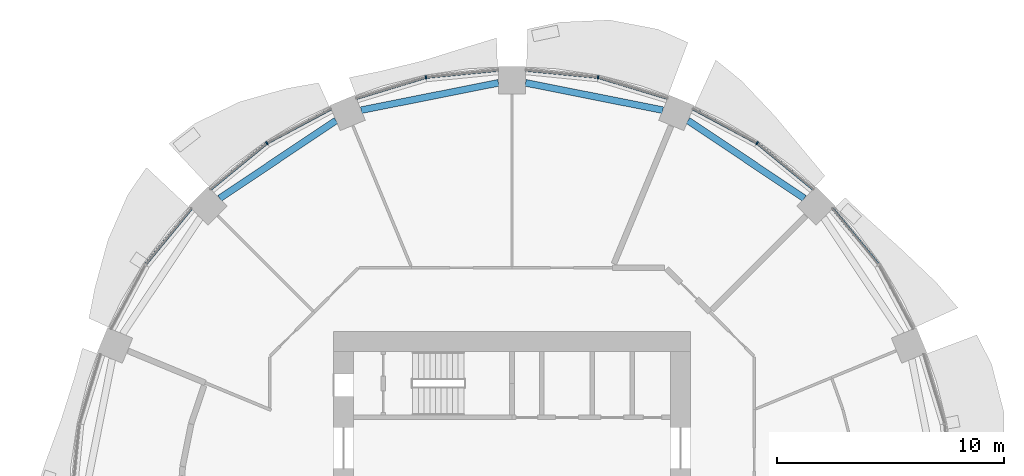
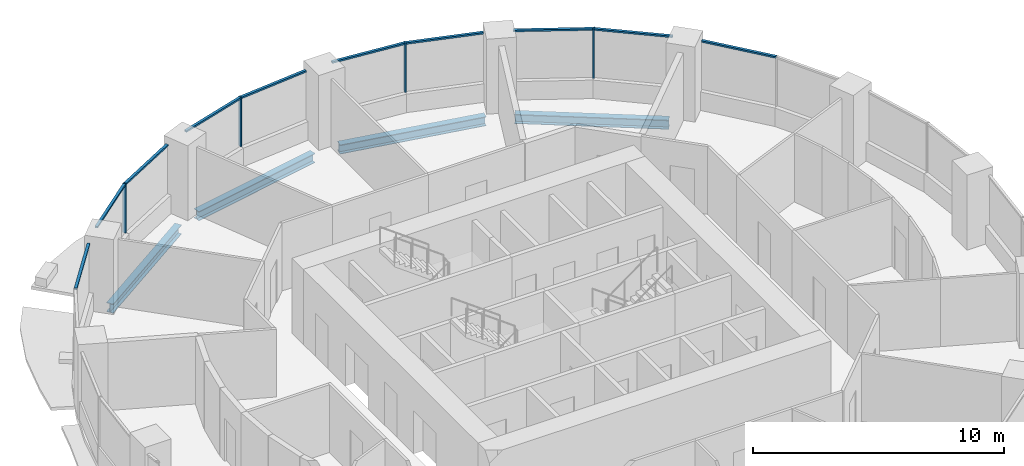
# One storey, part 6 of 15: 14 members, 4 beams, 6 elements without a shape of their own.
"""IFC4 building model written with IfcOpenShell, lengths in metres."""

from ifc_helpers import new_model, si_unit, direction, frame, origin, origin_2d, place, context, subcontext, project, spatial, rectangle, i_section, extrude, material, material_profile, profile_set, type_object, element, aggregate, save


model = new_model("IFC4")

# Units and contexts
model_context = context("Model", 3, precision=1e-05, world=origin(), true_north=direction((0.0, 1.0)))
body_context = subcontext(model_context, "Body", "Model", "MODEL_VIEW")
ifc_project = project(units=[si_unit("LENGTHUNIT", "METRE"), si_unit("AREAUNIT", "SQUARE_METRE"), si_unit("VOLUMEUNIT", "CUBIC_METRE"), si_unit("PLANEANGLEUNIT", "RADIAN"), si_unit("MASSUNIT", "GRAM", prefix="KILO")], contexts=[model_context])

# Site, building, storey
site_placement = place(None, origin())
site = spatial("IfcSite", under=ifc_project, at=site_placement, CompositionType="ELEMENT")
building_placement = place(site_placement, origin())
building = spatial("IfcBuilding", under=site, at=building_placement, Name="Polderwave Tower", CompositionType="ELEMENT")
storey_placement = place(building_placement, frame((0.0, 0.0, 62.699951171875)))
storey = spatial("IfcBuildingStorey", under=building, at=storey_placement, Name="L16", CompositionType="ELEMENT", Elevation=62.699951171875)

# Curtain wall, member
ifc_material_1 = material(Name="Aluminium 6063-T6 and glass", Category="aluminium")
curtain_wall_type = type_object("IfcCurtainWallType", Name="Growing floor ribbon glazing wall", PredefinedType="NOTDEFINED", material=ifc_material_1)
curtain_wall_1_placement = place(storey_placement, origin())
curtain_wall_1 = element("IfcCurtainWall", 1, at=curtain_wall_1_placement, inside=storey, type_object=curtain_wall_type, Name="CW2 L16 02", PredefinedType="NOTDEFINED")
ifc_material_2 = material(Name="Aluminium 6063-T6", Category="aluminium")
ifc_material_profile_1 = material_profile(ifc_material_2, rectangle(XDim=0.14990234375, YDim=0.06005859375, at=origin_2d()), Name="AL 60x150")
ifc_profile_set_1 = profile_set([ifc_material_profile_1], Name="Aluminium 6063-T6")
member_type_1 = type_object("IfcMemberType", Name="Growing floor ribbon glazing mullion 60x150", PredefinedType="MULLION", material=ifc_profile_set_1)
member_1_placement = place(storey_placement, frame((10.800048828125, 16.1640625, 0.900146484375), z_axis=(0.0, 0.0, 1.0), x_axis=(-0.555526696611, -0.831498700752, 0.0)))
member_1 = element("IfcMember", 2, at=member_1_placement, type_object=member_type_1, Name="CW2 mullion 1", PredefinedType="MULLION", context=body_context, shape_type="SweptSolid", body=[
    extrude(rectangle(XDim=0.14990234375, YDim=0.06005859375, at=origin_2d()), origin(), (0.0, 0.0, 1.0), 2.39990234375),
])

curtain_wall_2_placement = place(storey_placement, origin())
curtain_wall_2 = element("IfcCurtainWall", 3, at=curtain_wall_2_placement, inside=storey, type_object=curtain_wall_type, Name="CW2 L16 03", PredefinedType="NOTDEFINED")
member_2_placement = place(storey_placement, frame((3.79296875, 19.06591796875, 0.900146484375), z_axis=(0.0, 0.0, 1.0), x_axis=(-0.195172487407, -0.980768933113, 0.0)))
member_2 = element("IfcMember", 4, at=member_2_placement, type_object=member_type_1, Name="CW2 mullion 1", PredefinedType="MULLION", context=body_context, shape_type="SweptSolid", body=[
    extrude(rectangle(XDim=0.14990234375, YDim=0.06005859375, at=origin_2d()), origin(), (0.0, 0.0, 1.0), 2.39990234375),
])

curtain_wall_3_placement = place(storey_placement, origin())
curtain_wall_3 = element("IfcCurtainWall", 5, at=curtain_wall_3_placement, inside=storey, type_object=curtain_wall_type, Name="CW2 L16 04", PredefinedType="NOTDEFINED")
member_3_placement = place(storey_placement, frame((-3.79296875, 19.06591796875, 0.900146484375), z_axis=(0.0, 0.0, 1.0), x_axis=(0.195172487407, -0.980768933113, 0.0)))
member_3 = element("IfcMember", 6, at=member_3_placement, type_object=member_type_1, Name="CW2 mullion 1", PredefinedType="MULLION", context=body_context, shape_type="SweptSolid", body=[
    extrude(rectangle(XDim=0.14990234375, YDim=0.06005859375, at=origin_2d()), origin(), (0.0, 0.0, 1.0), 2.39990234375),
])

curtain_wall_4_placement = place(storey_placement, origin())
curtain_wall_4 = element("IfcCurtainWall", 7, at=curtain_wall_4_placement, inside=storey, type_object=curtain_wall_type, Name="CW2 L16 05", PredefinedType="NOTDEFINED")
member_4_placement = place(storey_placement, frame((-10.800048828125, 16.1640625, 0.900146484375), z_axis=(0.0, 0.0, 1.0), x_axis=(0.555526696611, -0.831498700752, 0.0)))
member_4 = element("IfcMember", 8, at=member_4_placement, type_object=member_type_1, Name="CW2 mullion 1", PredefinedType="MULLION", context=body_context, shape_type="SweptSolid", body=[
    extrude(rectangle(XDim=0.14990234375, YDim=0.06005859375, at=origin_2d()), origin(), (0.0, 0.0, 1.0), 2.39990234375),
])

curtain_wall_5_placement = place(storey_placement, origin())
curtain_wall_5 = element("IfcCurtainWall", 9, at=curtain_wall_5_placement, inside=storey, type_object=curtain_wall_type, Name="CW2 L16 01", PredefinedType="NOTDEFINED")
ifc_material_profile_2 = material_profile(ifc_material_2, rectangle(XDim=0.1201171875, YDim=0.080078125, at=origin_2d()), Name="AL 80x120")
ifc_profile_set_2 = profile_set([ifc_material_profile_2], Name="Aluminium 6063-T6")
member_type_2 = type_object("IfcMemberType", Name="Growing floor ribbon glazing transom 80x120", PredefinedType="USERDEFINED", material=ifc_profile_set_2)
member_5_placement = place(storey_placement, frame((16.14501953125, 10.8232421875, 3.260009765625), z_axis=(-0.634370760679, 0.77302893736, 0.0), x_axis=(-0.77302893736, -0.634370760679, 0.0)))
member_5 = element("IfcMember", 10, at=member_5_placement, type_object=member_type_2, Name="CW2 transom 2", ObjectType="TRANSOM", PredefinedType="USERDEFINED", context=body_context, shape_type="SweptSolid", body=[
    extrude(rectangle(XDim=0.1201171875, YDim=0.080078125, at=origin_2d()), origin(), (0.0, 0.0, 1.0), 3.17822265625),
])
aggregate(curtain_wall_5, [member_5])

# Member
member_6_placement = place(storey_placement, frame((13.280029296875, 14.12890625, 3.260009765625), z_axis=(-0.77302893736, 0.634370760679, 0.0), x_axis=(-0.634370760679, -0.77302893736, 0.0)))
member_6 = element("IfcMember", 11, at=member_6_placement, type_object=member_type_2, Name="CW2 transom 1", ObjectType="TRANSOM", PredefinedType="USERDEFINED", context=body_context, shape_type="SweptSolid", body=[
    extrude(rectangle(XDim=0.1201171875, YDim=0.080078125, at=origin_2d()), origin(), (0.0, 0.0, 1.0), 3.17822265625),
])

member_7_placement = place(storey_placement, frame((10.7734375, 16.177978515625, 3.260009765625), z_axis=(-0.881910191406, 0.471417452258, 0.0), x_axis=(-0.471417452258, -0.881910191406, 0.0)))
member_7 = element("IfcMember", 12, at=member_7_placement, type_object=member_type_2, Name="CW2 transom 2", ObjectType="TRANSOM", PredefinedType="USERDEFINED", context=body_context, shape_type="SweptSolid", body=[
    extrude(rectangle(XDim=0.1201171875, YDim=0.080078125, at=origin_2d()), origin(), (0.0, 0.0, 1.0), 3.177734375),
])

aggregate(curtain_wall_1, [member_1, member_6, member_7])

member_8_placement = place(storey_placement, frame((6.862060546875, 18.135009765625, 3.260009765625), z_axis=(-0.956931289937, 0.290314495574, 0.0), x_axis=(-0.290314495574, -0.956931289937, 0.0)))
member_8 = element("IfcMember", 13, at=member_8_placement, type_object=member_type_2, Name="CW2 transom 1", ObjectType="TRANSOM", PredefinedType="USERDEFINED", context=body_context, shape_type="SweptSolid", body=[
    extrude(rectangle(XDim=0.1201171875, YDim=0.080078125, at=origin_2d()), origin(), (0.0, 0.0, 1.0), 3.177001953125),
])

member_9_placement = place(storey_placement, frame((3.76318359375, 19.06884765625, 3.260009765625), z_axis=(-0.995162633096, 0.098241201585, 0.0), x_axis=(-0.098241201585, -0.995162633096, 0.0)))
member_9 = element("IfcMember", 14, at=member_9_placement, type_object=member_type_2, Name="CW2 transom 2", ObjectType="TRANSOM", PredefinedType="USERDEFINED", context=body_context, shape_type="SweptSolid", body=[
    extrude(rectangle(XDim=0.1201171875, YDim=0.080078125, at=origin_2d()), origin(), (0.0, 0.0, 1.0), 3.178466796875),
])

aggregate(curtain_wall_2, [member_2, member_8, member_9])

member_10_placement = place(storey_placement, frame((-0.60009765625, 19.381103515625, 3.260009765625), z_axis=(-0.995162633096, -0.098241201585, 0.0), x_axis=(0.098241201585, -0.995162633096, 0.0)))
member_10 = element("IfcMember", 15, at=member_10_placement, type_object=member_type_2, Name="CW2 transom 1", ObjectType="TRANSOM", PredefinedType="USERDEFINED", context=body_context, shape_type="SweptSolid", body=[
    extrude(rectangle(XDim=0.1201171875, YDim=0.080078125, at=origin_2d()), origin(), (0.0, 0.0, 1.0), 3.178466796875),
])

member_11_placement = place(storey_placement, frame((-3.82177734375, 19.057373046875, 3.260009765625), z_axis=(-0.956931289937, -0.290314495574, 0.0), x_axis=(0.290314495574, -0.956931289937, 0.0)))
member_11 = element("IfcMember", 16, at=member_11_placement, type_object=member_type_2, Name="CW2 transom 2", ObjectType="TRANSOM", PredefinedType="USERDEFINED", context=body_context, shape_type="SweptSolid", body=[
    extrude(rectangle(XDim=0.1201171875, YDim=0.080078125, at=origin_2d()), origin(), (0.0, 0.0, 1.0), 3.177001953125),
])

aggregate(curtain_wall_3, [member_3, member_10, member_11])

member_12_placement = place(storey_placement, frame((-7.970947265625, 17.676025390625, 3.260009765625), z_axis=(-0.881910191406, -0.471417452258, 0.0), x_axis=(0.471417452258, -0.881910191406, 0.0)))
member_12 = element("IfcMember", 17, at=member_12_placement, type_object=member_type_2, Name="CW2 transom 1", ObjectType="TRANSOM", PredefinedType="USERDEFINED", context=body_context, shape_type="SweptSolid", body=[
    extrude(rectangle(XDim=0.1201171875, YDim=0.080078125, at=origin_2d()), origin(), (0.0, 0.0, 1.0), 3.177734375),
])

member_13_placement = place(storey_placement, frame((-10.8232421875, 16.14501953125, 3.260009765625), z_axis=(-0.77302893736, -0.634370760679, 0.0), x_axis=(0.634370760679, -0.77302893736, 0.0)))
member_13 = element("IfcMember", 18, at=member_13_placement, type_object=member_type_2, Name="CW2 transom 2", ObjectType="TRANSOM", PredefinedType="USERDEFINED", context=body_context, shape_type="SweptSolid", body=[
    extrude(rectangle(XDim=0.1201171875, YDim=0.080078125, at=origin_2d()), origin(), (0.0, 0.0, 1.0), 3.17822265625),
])

aggregate(curtain_wall_4, [member_4, member_12, member_13])

# Curtain wall, member
curtain_wall_6_placement = place(storey_placement, origin())
curtain_wall_6 = element("IfcCurtainWall", 19, at=curtain_wall_6_placement, inside=storey, type_object=curtain_wall_type, Name="CW2 L16 06", PredefinedType="NOTDEFINED")
member_14_placement = place(storey_placement, frame((-14.12890625, 13.280029296875, 3.260009765625), z_axis=(-0.634370760679, -0.77302893736, 0.0), x_axis=(0.77302893736, -0.634370760679, 0.0)))
member_14 = element("IfcMember", 20, at=member_14_placement, type_object=member_type_2, Name="CW2 transom 1", ObjectType="TRANSOM", PredefinedType="USERDEFINED", context=body_context, shape_type="SweptSolid", body=[
    extrude(rectangle(XDim=0.1201171875, YDim=0.080078125, at=origin_2d()), origin(), (0.0, 0.0, 1.0), 3.17822265625),
])
aggregate(curtain_wall_6, [member_14])

# Beams
ifc_material_3 = material(Name="Steel S355", Category="steel")
ifc_material_profile_3 = material_profile(ifc_material_3, i_section(OverallWidth=0.300048828125, OverallDepth=0.449951171875, WebThickness=0.013916015625, FlangeThickness=0.02587890625, at=origin_2d()), Name="HE 450 B")
ifc_profile_set_3 = profile_set([ifc_material_profile_3], Name="Steel S355")
beam_type = type_object("IfcBeamType", Name="RING BEAM HE 450 B", PredefinedType="BEAM", material=ifc_profile_set_3)
beam_1_placement = place(storey_placement, frame((12.884033203125, 13.732421875, -0.574951171875), z_axis=(-0.831471217158, 0.555567831177, 0.0), x_axis=(-0.555567831177, -0.831471217158, 0.0)))
element("IfcBeam", 21, at=beam_1_placement, inside=storey, type_object=beam_type, Name="ST-RB-L16-02", PredefinedType="BEAM", context=body_context, shape_type="SweptSolid", body=[
    extrude(i_section(OverallWidth=0.300048828125, OverallDepth=0.449951171875, WebThickness=0.013916015625, FlangeThickness=0.02587890625, at=origin_2d()), origin(), (0.0, 0.0, 1.0), 6.166748046875),
])
for number, where, z_axis, x_axis, name in (
    (22, (6.64794921875, 17.61767578125, -0.574951171875), (-0.980788743602, 0.195072910533, 0.0), (-0.195072910533, -0.980788743602, 0.0), "ST-RB-L16-03"),
    (23, (-0.60009765625, 18.820556640625, -0.574951171875), (-0.980788743602, -0.195072910533, 0.0), (0.195072910533, -0.980788743602, 0.0), "ST-RB-L16-04"),
):
    element("IfcBeam", number, at=place(storey_placement, frame(where, z_axis=z_axis, x_axis=x_axis)), inside=storey, type_object=beam_type, Name=name, PredefinedType="BEAM", context=body_context, shape_type="SweptSolid", body=[
        extrude(i_section(OverallWidth=0.300048828125, OverallDepth=0.449951171875, WebThickness=0.013916015625, FlangeThickness=0.02587890625, at=origin_2d()), origin(), (0.0, 0.0, 1.0), 6.166259765625),
    ])
beam_2_placement = place(storey_placement, frame((-7.756591796875, 17.158447265625, -0.574951171875), z_axis=(-0.831471217158, -0.555567831177, 0.0), x_axis=(0.555567831177, -0.831471217158, 0.0)))
element("IfcBeam", 24, at=beam_2_placement, inside=storey, type_object=beam_type, Name="ST-RB-L16-05", PredefinedType="BEAM", context=body_context, shape_type="SweptSolid", body=[
    extrude(i_section(OverallWidth=0.300048828125, OverallDepth=0.449951171875, WebThickness=0.013916015625, FlangeThickness=0.02587890625, at=origin_2d()), origin(), (0.0, 0.0, 1.0), 6.166748046875),
])

save(model, "model.ifc")
